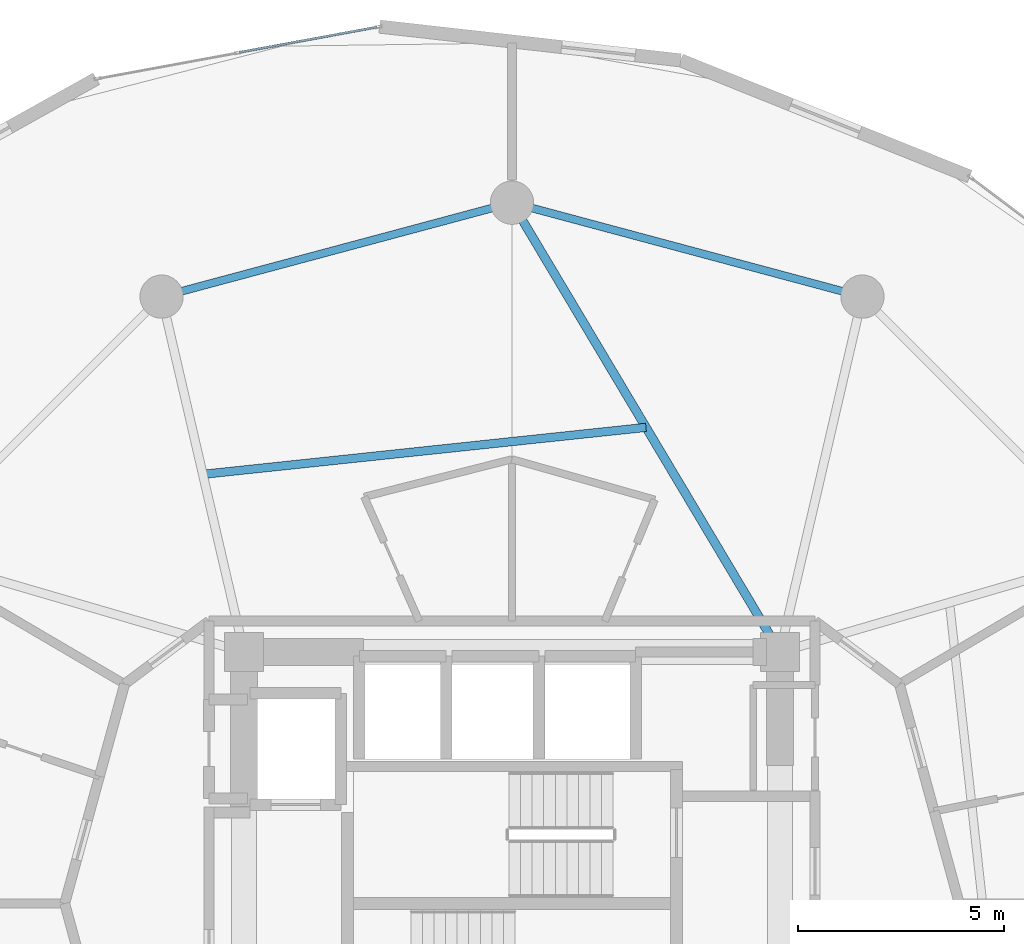
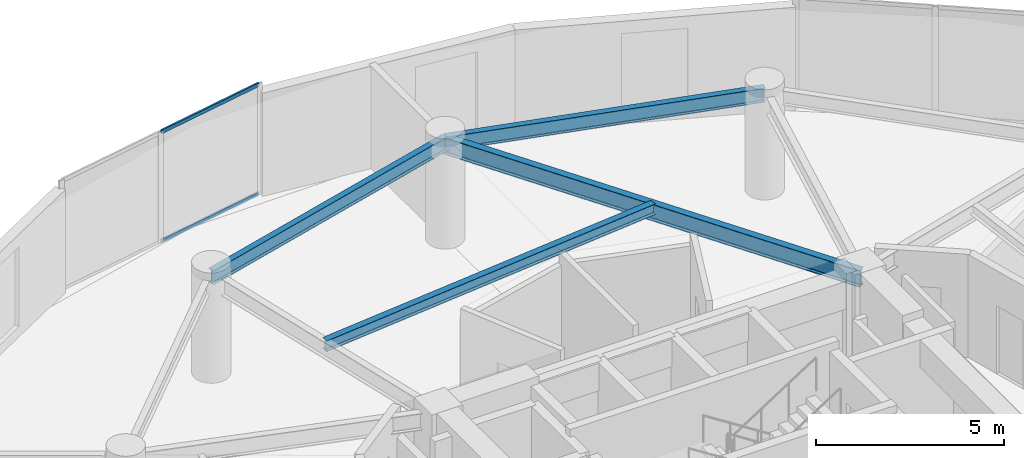
# One storey, part 17 of 25: 4 beams, 2 members, 1 element without a shape of its own.
"""IFC4 building model written with IfcOpenShell, lengths in metres."""

from ifc_helpers import new_model, si_unit, direction, frame, origin, origin_2d, place, context, subcontext, project, spatial, hollow_rectangle, i_section, extrude, source, transform, mapped, material, layer, layer_set, material_profile, profile_set, type_object, element, aggregate, save


model = new_model("IFC4")

# Units and contexts
model_context = context("Model", 3, precision=1e-05, world=origin(), true_north=direction((0.0, 1.0)))
body_context = subcontext(model_context, "Body", "Model", "MODEL_VIEW")
ifc_project = project(units=[si_unit("LENGTHUNIT", "METRE"), si_unit("AREAUNIT", "SQUARE_METRE"), si_unit("VOLUMEUNIT", "CUBIC_METRE"), si_unit("PLANEANGLEUNIT", "RADIAN"), si_unit("MASSUNIT", "GRAM", prefix="KILO")], contexts=[model_context])

# Site, building, storey
site_placement = place(None, origin())
site = spatial("IfcSite", under=ifc_project, at=site_placement, CompositionType="ELEMENT")
building_placement = place(site_placement, origin())
building = spatial("IfcBuilding", under=site, at=building_placement, Name="Solvirekh Grand Hotel", CompositionType="ELEMENT")
storey_placement = place(building_placement, frame((0.0, 0.0, 102.60009765625)))
storey = spatial("IfcBuildingStorey", under=building, at=storey_placement, Name="L25", CompositionType="ELEMENT", Elevation=102.60009765625)

# Beams
ifc_material_1 = material(Name="Steel S355", Category="steel")
ifc_material_profile_1 = material_profile(ifc_material_1, i_section(OverallWidth=0.2119140625, OverallDepth=0.5439453125, WebThickness=0.011962890625, FlangeThickness=0.01904296875, FilletRadius=0.013916015625, at=origin_2d()), Name="W530X123")
ifc_profile_set_1 = profile_set([ifc_material_profile_1], Name="Steel S355")
beam_type_1 = type_object("IfcBeamType", Name="Beam_Radial_W530H", PredefinedType="BEAM", material=ifc_profile_set_1)
beam_1_placement = place(storey_placement, frame((6.5, 6.10009765625, 3.077880859375), z_axis=(-0.512179721377, 0.858878299301, 0.0), x_axis=(-0.858878299301, -0.512179721377, 0.0)))
element("IfcBeam", 1, at=beam_1_placement, inside=storey, type_object=beam_type_1, Name="L25 radial floor beam R04", PredefinedType="BEAM", context=body_context, shape_type="SweptSolid", body=[
    extrude(i_section(OverallWidth=0.2119140625, OverallDepth=0.5439453125, WebThickness=0.011962890625, FlangeThickness=0.01904296875, FilletRadius=0.013916015625, at=origin_2d()), origin(), (0.0, 0.0, 1.0), 12.69091796875),
])
ifc_material_profile_2 = material_profile(ifc_material_1, i_section(OverallWidth=0.2041015625, OverallDepth=0.35009765625, WebThickness=0.009033203125, FlangeThickness=0.014892578125, FilletRadius=0.010986328125, at=origin_2d()), Name="W360X72")
ifc_profile_set_2 = profile_set([ifc_material_profile_2], Name="Steel S355")
beam_type_2 = type_object("IfcBeamType", Name="Joist_Floor_W360", PredefinedType="JOIST", material=ifc_profile_set_2)
beam_2_placement = place(storey_placement, frame((3.25, 11.550048828125, 3.1748046875), z_axis=(-0.994432198761, -0.105378375714, 0.0), x_axis=(0.105378375714, -0.994432198761, 0.0)))
element("IfcBeam", 2, at=beam_2_placement, inside=storey, type_object=beam_type_2, Name="L25 secondary composite floor joist 4", PredefinedType="JOIST", context=body_context, shape_type="SweptSolid", body=[
    extrude(i_section(OverallWidth=0.2041015625, OverallDepth=0.35009765625, WebThickness=0.009033203125, FlangeThickness=0.014892578125, FilletRadius=0.010986328125, at=origin_2d()), origin(), (0.0, 0.0, 1.0), 10.810302734375),
])
ifc_material_profile_3 = material_profile(ifc_material_1, i_section(OverallWidth=0.18994140625, OverallDepth=0.45703125, WebThickness=0.009033203125, FlangeThickness=0.013916015625, FilletRadius=0.012939453125, at=origin_2d()), Name="W460X74")
ifc_profile_set_3 = profile_set([ifc_material_profile_3], Name="Steel S355")
beam_type_3 = type_object("IfcBeamType", Name="Spandrel_Ring_W460", PredefinedType="SPANDREL", material=ifc_profile_set_3)
for number, where, z_axis, x_axis, name in (
    (3, (8.5, 14.721923828125, 3.121826171875), (-0.965911391906, 0.258872908946, 0.0), (-0.258872908946, -0.965911391906, 0.0), "L25 perimeter spandrel beam 3"),
    (4, (0.0, 17.0, 3.121826171875), (-0.965911391906, -0.258872908946, 0.0), (0.258872908946, -0.965911391906, 0.0), "L25 perimeter spandrel beam 4"),
):
    element("IfcBeam", number, at=place(storey_placement, frame(where, z_axis=z_axis, x_axis=x_axis)), inside=storey, type_object=beam_type_3, Name=name, PredefinedType="SPANDREL", context=body_context, shape_type="SweptSolid", body=[
        extrude(i_section(OverallWidth=0.18994140625, OverallDepth=0.45703125, WebThickness=0.009033203125, FlangeThickness=0.013916015625, FilletRadius=0.012939453125, at=origin_2d()), origin(), (0.0, 0.0, 1.0), 8.800048828125),
    ])

# Curtain wall, members
ifc_material_2 = material(Name="Anodized Bronze Aluminium 6063-T6", Category="aluminium")
ifc_layer = layer(ifc_material_2, 0.175048828125)
ifc_layer_set = layer_set([ifc_layer], Name="Anodized Bronze Aluminium 6063-T6")
curtain_wall_type = type_object("IfcCurtainWallType", Name="CW_Sys3_MidZoneFlushBronzeCW", PredefinedType="NOTDEFINED", material=ifc_layer_set)
curtain_wall_placement = place(storey_placement, origin())
curtain_wall = element("IfcCurtainWall", 5, at=curtain_wall_placement, inside=storey, type_object=curtain_wall_type, Name="L25 unitised bronze-glass curtain wall CW-L25-C08", PredefinedType="NOTDEFINED")
ifc_material_profile_4 = material_profile(ifc_material_2, hollow_rectangle(XDim=0.054931640625, YDim=0.1201171875, WallThickness=0.00390625, at=origin_2d()), Name="ALU RHS 120X55X4")
ifc_profile_set_4 = profile_set([ifc_material_profile_4], Name="Anodized Bronze Aluminium 6063-T6")
member_type = type_object("IfcMemberType", Name="CWTransom_Sys3", PredefinedType="USERDEFINED", material=ifc_profile_set_4)
shared_shape = source(origin(), body_context, "Body", "SweptSolid", [
    extrude(hollow_rectangle(XDim=0.054931640625, YDim=0.1201171875, WallThickness=0.00390625, at=origin_2d()), origin(), (0.0, 0.0, 1.0), 3.397216796875),
])
member_1_placement = place(storey_placement, frame((-3.27490234375, 21.26123046875, 0.02734375), z_axis=(-0.983490568923, -0.180959390029, 0.0), x_axis=(0.180959390029, -0.983490568923, 0.0)))
member_1 = element("IfcMember", 6, at=member_1_placement, type_object=member_type, Name="U03 transom 1.1", ObjectType="TRANSOM", PredefinedType="USERDEFINED", context=body_context, shape_type="MappedRepresentation", body=[
    mapped(shared_shape, transform((0.0, 0.0, 0.0), x_axis=(1.0, 0.0, 0.0), y_axis=(0.0, 1.0, 0.0), z_axis=(0.0, 0.0, 1.0), scale=1.0)),
])
member_2_placement = place(storey_placement, frame((-3.27490234375, 21.26123046875, 3.572509765625), z_axis=(-0.983490568923, -0.180959390029, 0.0), x_axis=(0.180959390029, -0.983490568923, 0.0)))
member_2 = element("IfcMember", 7, at=member_2_placement, type_object=member_type, Name="U03 transom 1.2", ObjectType="TRANSOM", PredefinedType="USERDEFINED", context=body_context, shape_type="MappedRepresentation", body=[
    mapped(shared_shape, transform((0.0, 0.0, 0.0), x_axis=(1.0, 0.0, 0.0), y_axis=(0.0, 1.0, 0.0), z_axis=(0.0, 0.0, 1.0), scale=1.0)),
])
aggregate(curtain_wall, [member_1, member_2])

save(model, "model.ifc")
